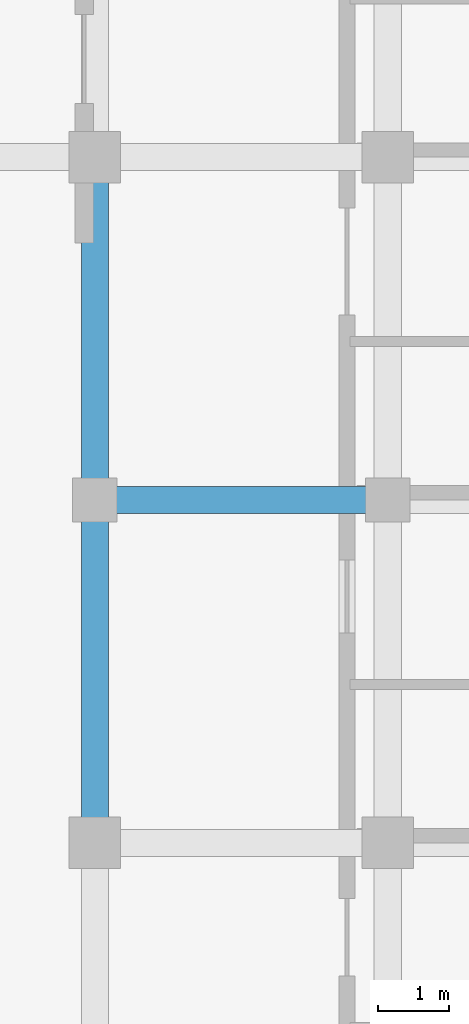
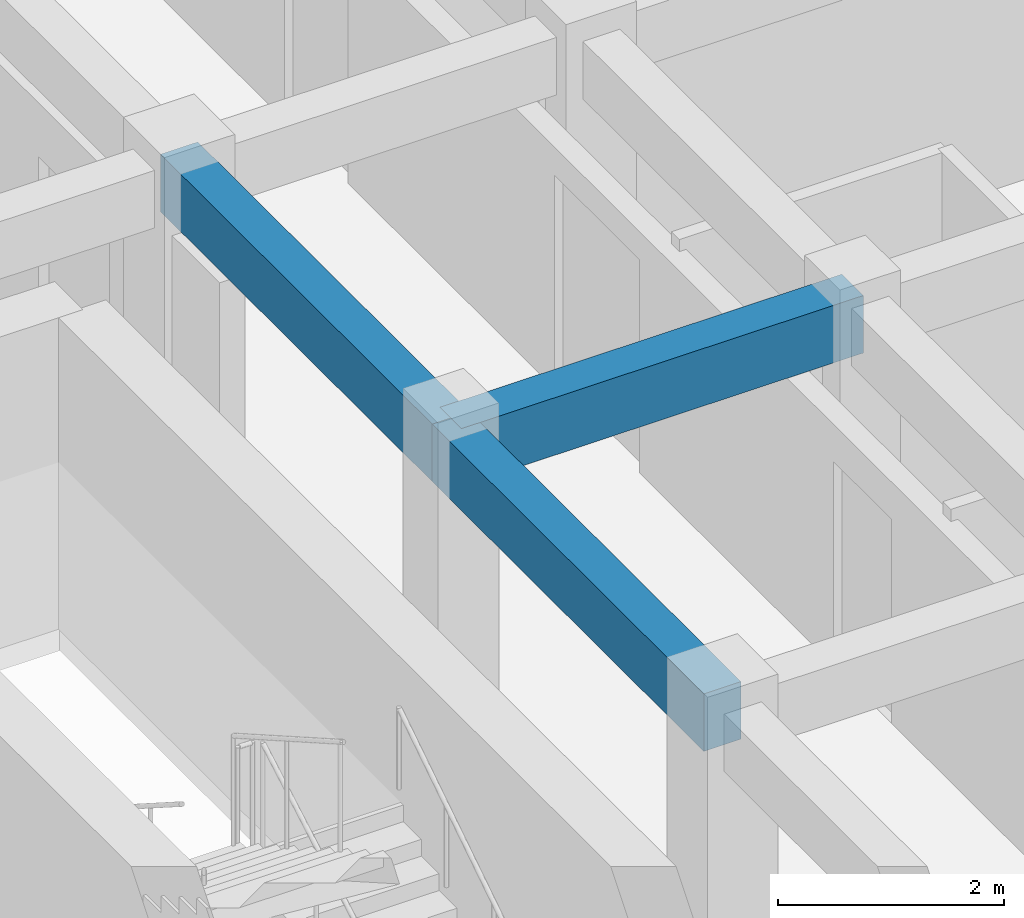
# One storey, part 35 of 59: 3 beams.
"""IFC4 building model written with IfcOpenShell, lengths in metres."""

from ifc_helpers import new_model, si_unit, direction, frame, origin, origin_2d, place, context, subcontext, project, spatial, rectangle, extrude, material, material_profile, profile_set, type_object, element, save


model = new_model("IFC4")

# Units and contexts
model_context = context("Model", 3, precision=1e-05, world=origin(), true_north=direction((0.0, 1.0)))
body_context = subcontext(model_context, "Body", "Model", "MODEL_VIEW")
ifc_project = project(units=[si_unit("LENGTHUNIT", "METRE"), si_unit("AREAUNIT", "SQUARE_METRE"), si_unit("VOLUMEUNIT", "CUBIC_METRE"), si_unit("PLANEANGLEUNIT", "RADIAN"), si_unit("MASSUNIT", "GRAM", prefix="KILO")], contexts=[model_context])

# Site, building, storey
site_placement = place(None, origin())
site = spatial("IfcSite", under=ifc_project, at=site_placement, CompositionType="ELEMENT")
building_placement = place(site_placement, origin())
building = spatial("IfcBuilding", under=site, at=building_placement, Name="Nakhvara Creek Congress Hotel", CompositionType="ELEMENT")
storey_placement = place(building_placement, frame((0.0, 0.0, 31.800048828125)))
storey = spatial("IfcBuildingStorey", under=building, at=storey_placement, Name="L07", CompositionType="ELEMENT", Elevation=31.800048828125)

# Beams
ifc_material = material(Name="Concrete C40/50", Category="concrete")
ifc_material_profile = material_profile(ifc_material, rectangle(XDim=0.3798828125, YDim=0.6201171875, at=origin_2d()), Name="RC-BM 380x620", Category="LoadBearing")
ifc_profile_set = profile_set([ifc_material_profile], Name="Concrete C40/50")
beam_type = type_object("IfcBeamType", Name="BM-RC-380X620", PredefinedType="BEAM", material=ifc_profile_set)
beam_1_placement = place(storey_placement, frame((162.35009765625, 105.60009765625, 3.050048828125), z_axis=(0.0, 1.0, 0.0), x_axis=(-1.0, 0.0, 0.0)))
element("IfcBeam", 1, at=beam_1_placement, inside=storey, type_object=beam_type, Name="Beam B10-L07-2360", PredefinedType="BEAM", context=body_context, shape_type="SweptSolid", body=[
    extrude(rectangle(XDim=0.3798828125, YDim=0.6201171875, at=origin_2d()), origin(), (0.0, 0.0, 1.0), 4.7998046875),
])
beam_2_placement = place(storey_placement, frame((162.35009765625, 110.39990234375, 3.050048828125), z_axis=(0.0, 1.0, 0.0), x_axis=(-1.0, 0.0, 0.0)))
element("IfcBeam", 2, at=beam_2_placement, inside=storey, type_object=beam_type, Name="Beam B10-L07-2362", PredefinedType="BEAM", context=body_context, shape_type="SweptSolid", body=[
    extrude(rectangle(XDim=0.3798828125, YDim=0.6201171875, at=origin_2d()), origin(), (0.0, 0.0, 1.0), 4.800048828125),
])
beam_3_placement = place(storey_placement, frame((162.35009765625, 110.39990234375, 3.050048828125), z_axis=(1.0, 0.0, 0.0), x_axis=(0.0, 1.0, 0.0)))
element("IfcBeam", 3, at=beam_3_placement, inside=storey, type_object=beam_type, Name="Beam B10-L07-2419", PredefinedType="BEAM", context=body_context, shape_type="SweptSolid", body=[
    extrude(rectangle(XDim=0.3798828125, YDim=0.6201171875, at=origin_2d()), origin(), (0.0, 0.0, 1.0), 4.099853515625),
])

save(model, "model.ifc")
